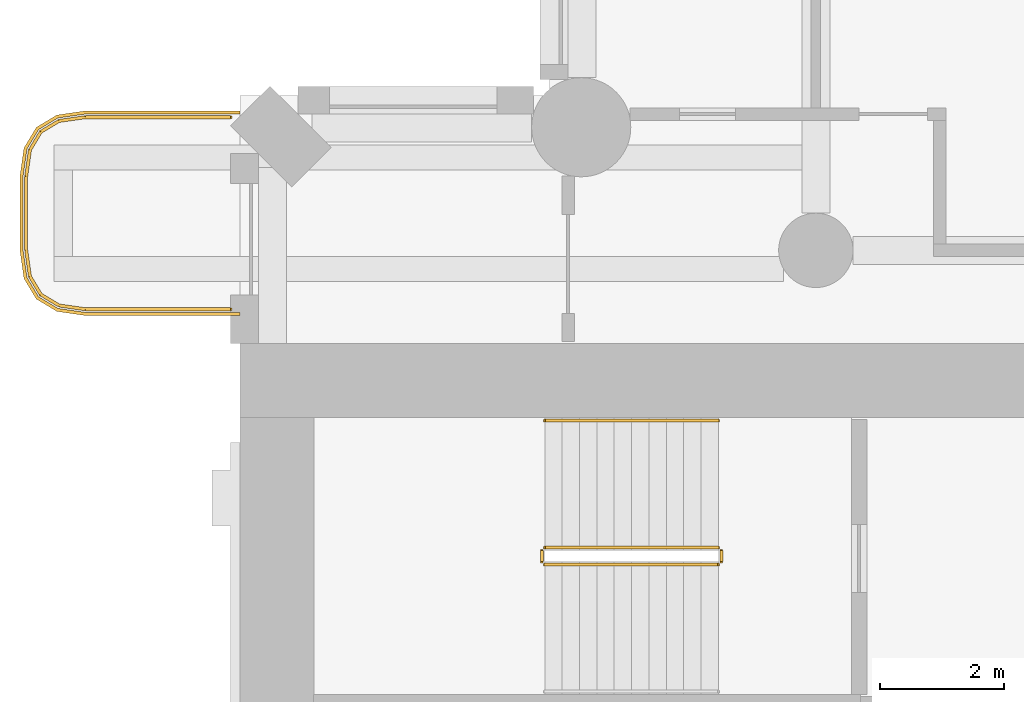
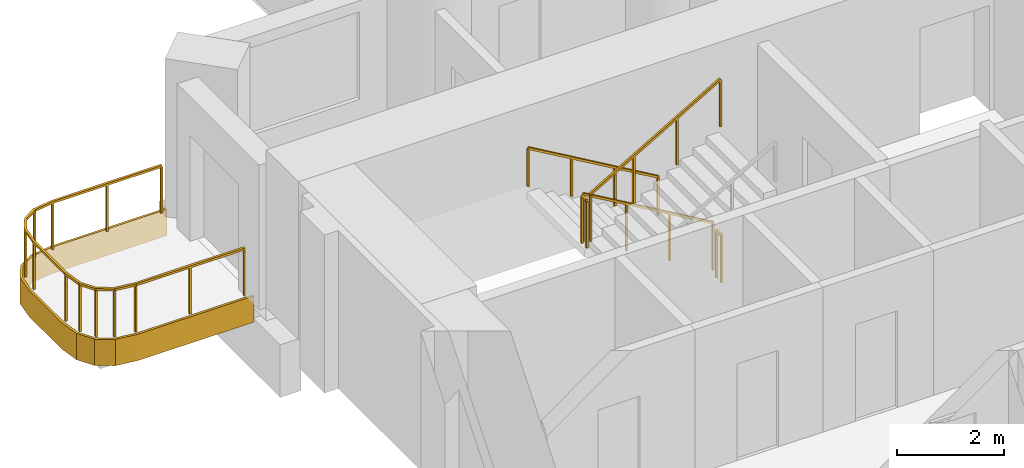
# One storey, part 17 of 20: 6 railings, 1 covering.
"""IFC4 building model written with IfcOpenShell, lengths in metres."""

from ifc_helpers import new_model, si_unit, direction, frame, origin, origin_2d, place, context, subcontext, project, spatial, polyline, rectangle, outline, extrude, material, layer, layer_set, type_object, element, save


model = new_model("IFC4")

# Units and contexts
model_context = context("Model", 3, precision=1e-05, world=origin(), true_north=direction((0.0, 1.0)))
body_context = subcontext(model_context, "Body", "Model", "MODEL_VIEW")
ifc_project = project(units=[si_unit("LENGTHUNIT", "METRE"), si_unit("AREAUNIT", "SQUARE_METRE"), si_unit("VOLUMEUNIT", "CUBIC_METRE"), si_unit("PLANEANGLEUNIT", "RADIAN"), si_unit("MASSUNIT", "GRAM", prefix="KILO")], contexts=[model_context])

# Site, building, storey
site_placement = place(None, origin())
site = spatial("IfcSite", under=ifc_project, at=site_placement, CompositionType="ELEMENT")
building_placement = place(site_placement, origin())
building = spatial("IfcBuilding", under=site, at=building_placement, Name="Cypress Arch Tower", CompositionType="ELEMENT")
storey_placement = place(building_placement, frame((0.0, 0.0, 84.300048828125)))
storey = spatial("IfcBuildingStorey", under=building, at=storey_placement, Name="L15", CompositionType="ELEMENT", Elevation=84.300048828125)

# Covering
ifc_material_1 = material(Name="White powder-coated aluminium fascia", Category="aluminium")
ifc_layer = layer(ifc_material_1, 0.050048828125)
ifc_layer_set = layer_set([ifc_layer], Name="Balcony fascia BF50")
covering_type = type_object("IfcCoveringType", Name="Balcony fascia BF50", PredefinedType="CLADDING", material=ifc_layer_set)
covering_placement = place(storey_placement, frame((0.0, 0.0, -0.60009765625)))
element("IfcCovering", 1, at=covering_placement, inside=storey, type_object=covering_type, Name="Balcony fascia L15-A00W0", PredefinedType="CLADDING", context=body_context, shape_type="SweptSolid", body=[
    extrude(outline(polyline([(-32.503662109375, 16.449951171875), (-32.95458984375, 16.514404296875), (-33.286376953125, 16.713623046875), (-33.485595703125, 17.04541015625), (-33.550048828125, 17.496337890625), (-33.550048828125, 18.70361328125), (-33.485595703125, 19.154541015625), (-33.286376953125, 19.486328125), (-32.95458984375, 19.685546875), (-32.503662109375, 19.75), (-30.0009765625, 19.75), (-30.0009765625, 19.699951171875), (-32.5, 19.699951171875), (-32.9375, 19.637451171875), (-33.25, 19.449951171875), (-33.4375, 19.137451171875), (-33.5, 18.699951171875), (-33.5, 17.5), (-33.4375, 17.0625), (-33.25, 16.75), (-32.9375, 16.5625), (-32.5, 16.5), (-30.0009765625, 16.5), (-30.0009765625, 16.449951171875), (-32.503662109375, 16.449951171875)])), origin(), (0.0, 0.0, 1.0), 0.60009765625),
])

# Railings
ifc_material_2 = material(Name="Powder-coated steel posts and rods, 100 mm clear between rods", Category="steel")
railing_type_1 = type_object("IfcRailingType", Name="Balcony guard GR1100", PredefinedType="GUARDRAIL", material=ifc_material_2)
railing_1_placement = place(storey_placement, frame((-30.14990234375, 16.550048828125, 0.0)))
element("IfcRailing", 2, at=railing_1_placement, inside=storey, type_object=railing_type_1, Name="Balcony guard L15-A00W0", PredefinedType="GUARDRAIL", context=body_context, shape_type="SweptSolid", body=[
    extrude(rectangle(XDim=0.050048828125, YDim=0.050048828125, at=origin_2d()), frame((0.0, 0.0, 1.0751953125), z_axis=(-1.0, 0.0, 0.0), x_axis=(0.0, -1.0, 0.0)), (0.0, 0.0, 1.0), 2.346435546875),
    extrude(rectangle(XDim=0.050048828125, YDim=0.050048828125, at=origin_2d()), frame((-2.346435546875, 0.0, 1.0751953125), z_axis=(-0.989960888959, 0.141341566184, 0.0), x_axis=(-0.141341566184, -0.989960888959, 0.0)), (0.0, 0.0, 1.0), 0.428466796875),
    extrude(rectangle(XDim=0.050048828125, YDim=0.050048828125, at=origin_2d()), frame((-2.7705078125, 0.060546875, 1.0751953125), z_axis=(-0.857681904839, 0.514180659021, 0.0), x_axis=(-0.514180659021, -0.857681904839, 0.0)), (0.0, 0.0, 1.0), 0.341796875),
    extrude(rectangle(XDim=0.050048828125, YDim=0.050048828125, at=origin_2d()), frame((-3.063720703125, 0.236328125, 1.0751953125), z_axis=(-0.514180659021, 0.857681904839, 0.0), x_axis=(-0.857681904839, -0.514180659021, 0.0)), (0.0, 0.0, 1.0), 0.341796875),
    extrude(rectangle(XDim=0.050048828125, YDim=0.050048828125, at=origin_2d()), frame((-3.239501953125, 0.529541015625, 1.0751953125), z_axis=(-0.141341566184, 0.989960888959, 0.0), x_axis=(-0.989960888959, -0.141341566184, 0.0)), (0.0, 0.0, 1.0), 0.428466796875),
    extrude(rectangle(XDim=0.050048828125, YDim=0.050048828125, at=origin_2d()), frame((-3.300048828125, 0.95361328125, 1.0751953125), z_axis=(0.0, 1.0, 0.0), x_axis=(-1.0, 0.0, 0.0)), (0.0, 0.0, 1.0), 1.19287109375),
    extrude(rectangle(XDim=0.050048828125, YDim=0.050048828125, at=origin_2d()), frame((-3.300048828125, 2.146484375, 1.0751953125), z_axis=(0.141421356237, 0.989949493661, 0.0), x_axis=(-0.989949493661, 0.141421356237, 0.0)), (0.0, 0.0, 1.0), 0.42822265625),
    extrude(rectangle(XDim=0.050048828125, YDim=0.050048828125, at=origin_2d()), frame((-3.239501953125, 2.5703125, 1.0751953125), z_axis=(0.514180659021, 0.857681904839, 0.0), x_axis=(-0.857681904839, 0.514180659021, 0.0)), (0.0, 0.0, 1.0), 0.341796875),
    extrude(rectangle(XDim=0.050048828125, YDim=0.050048828125, at=origin_2d()), frame((-3.063720703125, 2.863525390625, 1.0751953125), z_axis=(0.857681904839, 0.514180659021, 0.0), x_axis=(-0.514180659021, 0.857681904839, 0.0)), (0.0, 0.0, 1.0), 0.341796875),
    extrude(rectangle(XDim=0.050048828125, YDim=0.050048828125, at=origin_2d()), frame((-2.7705078125, 3.039306640625, 1.0751953125), z_axis=(0.989960888959, 0.141341566184, 0.0), x_axis=(-0.141341566184, 0.989960888959, 0.0)), (0.0, 0.0, 1.0), 0.428466796875),
    extrude(rectangle(XDim=0.050048828125, YDim=0.050048828125, at=origin_2d()), frame((-2.346435546875, 3.099853515625, 1.0751953125), z_axis=(1.0, 0.0, 0.0), x_axis=(0.0, 1.0, 0.0)), (0.0, 0.0, 1.0), 2.346435546875),
    extrude(rectangle(XDim=0.0400390625, YDim=0.0400390625, at=origin_2d()), origin(), (0.0, 0.0, 1.0), 1.050048828125),
    extrude(rectangle(XDim=0.0400390625, YDim=0.0400390625, at=origin_2d()), frame((-1.17333984375, 0.0, 0.0)), (0.0, 0.0, 1.0), 1.050048828125),
    extrude(rectangle(XDim=0.0400390625, YDim=0.0400390625, at=origin_2d()), frame((-2.346435546875, 0.0, 0.0)), (0.0, 0.0, 1.0), 1.050048828125),
    extrude(rectangle(XDim=0.0400390625, YDim=0.0400390625, at=origin_2d()), frame((-2.7705078125, 0.060546875, 0.0)), (0.0, 0.0, 1.0), 1.050048828125),
    extrude(rectangle(XDim=0.0400390625, YDim=0.0400390625, at=origin_2d()), frame((-3.063720703125, 0.236328125, 0.0)), (0.0, 0.0, 1.0), 1.050048828125),
    extrude(rectangle(XDim=0.0400390625, YDim=0.0400390625, at=origin_2d()), frame((-3.239501953125, 0.529541015625, 0.0)), (0.0, 0.0, 1.0), 1.050048828125),
    extrude(rectangle(XDim=0.0400390625, YDim=0.0400390625, at=origin_2d()), frame((-3.300048828125, 0.95361328125, 0.0)), (0.0, 0.0, 1.0), 1.050048828125),
    extrude(rectangle(XDim=0.0400390625, YDim=0.0400390625, at=origin_2d()), frame((-3.300048828125, 2.146484375, 0.0)), (0.0, 0.0, 1.0), 1.050048828125),
    extrude(rectangle(XDim=0.0400390625, YDim=0.0400390625, at=origin_2d()), frame((-3.239501953125, 2.5703125, 0.0)), (0.0, 0.0, 1.0), 1.050048828125),
    extrude(rectangle(XDim=0.0400390625, YDim=0.0400390625, at=origin_2d()), frame((-3.063720703125, 2.863525390625, 0.0)), (0.0, 0.0, 1.0), 1.050048828125),
    extrude(rectangle(XDim=0.0400390625, YDim=0.0400390625, at=origin_2d()), frame((-2.7705078125, 3.039306640625, 0.0)), (0.0, 0.0, 1.0), 1.050048828125),
    extrude(rectangle(XDim=0.0400390625, YDim=0.0400390625, at=origin_2d()), frame((-2.346435546875, 3.099853515625, 0.0)), (0.0, 0.0, 1.0), 1.050048828125),
    extrude(rectangle(XDim=0.0400390625, YDim=0.0400390625, at=origin_2d()), frame((-1.17333984375, 3.099853515625, 0.0)), (0.0, 0.0, 1.0), 1.050048828125),
    extrude(rectangle(XDim=0.0400390625, YDim=0.0400390625, at=origin_2d()), frame((0.0, 3.099853515625, 0.0)), (0.0, 0.0, 1.0), 1.050048828125),
])
ifc_material_3 = material(Name="Black powder-coated steel square bar 48 mm", Category="steel")
railing_type_2 = type_object("IfcRailingType", Name="Stair handrail HR1", PredefinedType="HANDRAIL", material=ifc_material_3)
railing_2_placement = place(storey_placement, frame((-22.27490234375, 14.75, 0.16357421875)))
element("IfcRailing", 3, at=railing_2_placement, inside=storey, type_object=railing_type_2, Name="L15 B stair handrail 1", PredefinedType="HANDRAIL", context=body_context, shape_type="SweptSolid", body=[
    extrude(rectangle(XDim=0.048095703125, YDim=0.048095703125, at=origin_2d()), frame((0.0, 0.0, 0.8759765625), z_axis=(-0.863360870873, 0.0, 0.504586966384), x_axis=(0.0, -1.0, 0.0)), (0.0, 0.0, 1.0), 3.2431640625),
    extrude(rectangle(XDim=0.0419921875, YDim=0.0419921875, at=origin_2d()), origin(), (0.0, 0.0, 1.0), 0.851806640625),
    extrude(rectangle(XDim=0.0419921875, YDim=0.0419921875, at=origin_2d()), frame((-0.933349609375, 0.0, 0.54541015625)), (0.0, 0.0, 1.0), 0.851806640625),
    extrude(rectangle(XDim=0.0419921875, YDim=0.0419921875, at=origin_2d()), frame((-1.86669921875, 0.0, 1.091064453125)), (0.0, 0.0, 1.0), 0.851806640625),
    extrude(rectangle(XDim=0.0419921875, YDim=0.0419921875, at=origin_2d()), frame((-2.800048828125, 0.0, 1.636474609375)), (0.0, 0.0, 1.0), 0.851806640625),
])
ifc_material_4 = material(Name="Black powder-coated steel balusters", Category="steel")
railing_type_3 = type_object("IfcRailingType", Name="Stair well guard G1", PredefinedType="GUARDRAIL", material=ifc_material_4)
railing_3_placement = place(storey_placement, frame((-22.27490234375, 12.699951171875, 0.16357421875)))
element("IfcRailing", 4, at=railing_3_placement, inside=storey, type_object=railing_type_3, Name="L15 B stair guard 1", PredefinedType="GUARDRAIL", context=body_context, shape_type="SweptSolid", body=[
    extrude(rectangle(XDim=0.048095703125, YDim=0.048095703125, at=origin_2d()), frame((0.0, 0.0, 1.076171875), z_axis=(-0.863360870873, 0.0, 0.504586966384), x_axis=(0.0, -1.0, 0.0)), (0.0, 0.0, 1.0), 3.2431640625),
    extrude(rectangle(XDim=0.0419921875, YDim=0.0419921875, at=origin_2d()), origin(), (0.0, 0.0, 1.0), 1.052001953125),
    extrude(rectangle(XDim=0.0419921875, YDim=0.0419921875, at=origin_2d()), frame((-0.933349609375, 0.0, 0.54541015625)), (0.0, 0.0, 1.0), 1.052001953125),
    extrude(rectangle(XDim=0.0419921875, YDim=0.0419921875, at=origin_2d()), frame((-1.86669921875, 0.0, 1.091064453125)), (0.0, 0.0, 1.0), 1.052001953125),
    extrude(rectangle(XDim=0.0419921875, YDim=0.0419921875, at=origin_2d()), frame((-2.800048828125, 0.0, 1.636474609375)), (0.0, 0.0, 1.0), 1.052001953125),
])
railing_4_placement = place(storey_placement, frame((-25.125, 12.64990234375, 1.800048828125)))
element("IfcRailing", 5, at=railing_4_placement, inside=storey, type_object=railing_type_3, Name="L15 B stair guard 2", PredefinedType="GUARDRAIL", context=body_context, shape_type="SweptSolid", body=[
    extrude(rectangle(XDim=0.048095703125, YDim=0.048095703125, at=origin_2d()), frame((0.0, 0.0, 1.076171875), z_axis=(0.0, -1.0, 0.0), x_axis=(1.0, 0.0, 0.0)), (0.0, 0.0, 1.0), 0.1748046875),
    extrude(rectangle(XDim=0.0419921875, YDim=0.0419921875, at=origin_2d()), origin(), (0.0, 0.0, 1.0), 1.052001953125),
    extrude(rectangle(XDim=0.0419921875, YDim=0.0419921875, at=origin_2d()), frame((0.0, -0.1748046875, 0.0)), (0.0, 0.0, 1.0), 1.052001953125),
])
railing_5_placement = place(storey_placement, frame((-25.074951171875, 12.425048828125, 1.963623046875)))
element("IfcRailing", 6, at=railing_5_placement, inside=storey, type_object=railing_type_3, Name="L15 B stair guard 3", PredefinedType="GUARDRAIL", context=body_context, shape_type="SweptSolid", body=[
    extrude(rectangle(XDim=0.048095703125, YDim=0.048095703125, at=origin_2d()), frame((0.0, 0.0, 1.076171875), z_axis=(0.863393664356, 0.0, 0.504530851732), x_axis=(0.0, 1.0, 0.0)), (0.0, 0.0, 1.0), 3.2431640625),
    extrude(rectangle(XDim=0.0419921875, YDim=0.0419921875, at=origin_2d()), origin(), (0.0, 0.0, 1.0), 1.052001953125),
    extrude(rectangle(XDim=0.0419921875, YDim=0.0419921875, at=origin_2d()), frame((0.933349609375, 0.0, 0.54541015625)), (0.0, 0.0, 1.0), 1.052001953125),
    extrude(rectangle(XDim=0.0419921875, YDim=0.0419921875, at=origin_2d()), frame((1.86669921875, 0.0, 1.0908203125)), (0.0, 0.0, 1.0), 1.052001953125),
    extrude(rectangle(XDim=0.0419921875, YDim=0.0419921875, at=origin_2d()), frame((2.800048828125, 0.0, 1.63623046875)), (0.0, 0.0, 1.0), 1.052001953125),
])
railing_6_placement = place(storey_placement, frame((-22.22509765625, 12.64990234375, 0.0)))
element("IfcRailing", 7, at=railing_6_placement, inside=storey, type_object=railing_type_3, Name="L15 B stair guard 4", PredefinedType="GUARDRAIL", context=body_context, shape_type="SweptSolid", body=[
    extrude(rectangle(XDim=0.048095703125, YDim=0.048095703125, at=origin_2d()), frame((0.0, 0.0, 1.076171875), z_axis=(0.0, -1.0, 0.0), x_axis=(1.0, 0.0, 0.0)), (0.0, 0.0, 1.0), 0.1748046875),
    extrude(rectangle(XDim=0.0419921875, YDim=0.0419921875, at=origin_2d()), origin(), (0.0, 0.0, 1.0), 1.052001953125),
    extrude(rectangle(XDim=0.0419921875, YDim=0.0419921875, at=origin_2d()), frame((0.0, -0.1748046875, 0.0)), (0.0, 0.0, 1.0), 1.052001953125),
])

save(model, "model.ifc")
